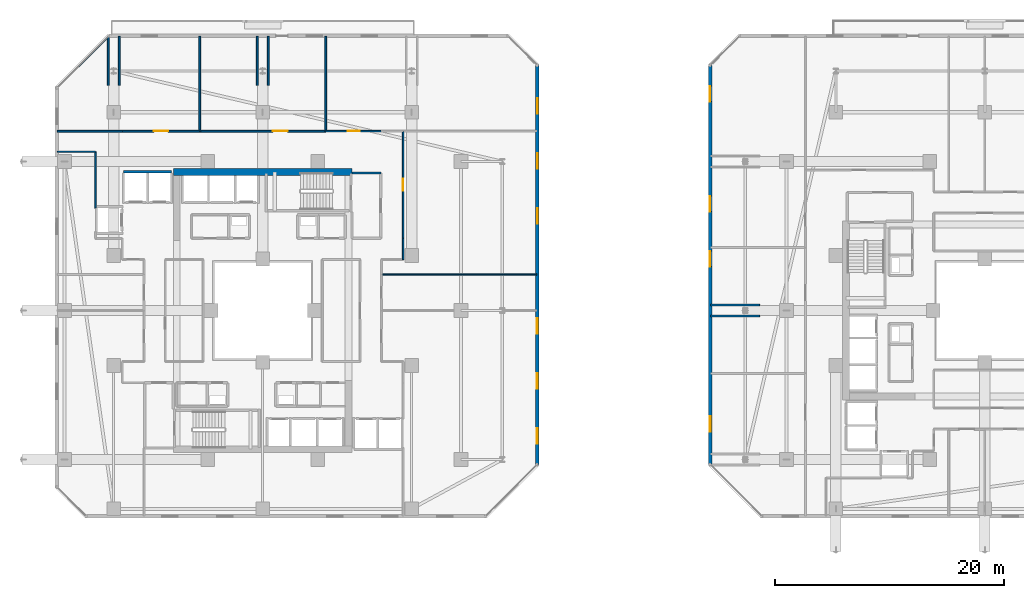
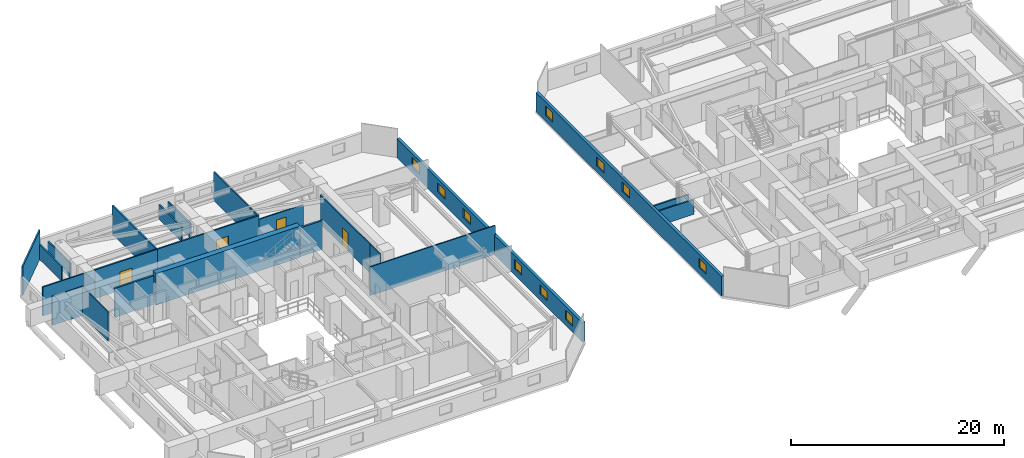
# One storey, part 24 of 36: 23 walls, 10 windows, 4 doors, 14 openings.
"""IFC4 building model written with IfcOpenShell, lengths in metres."""

from ifc_helpers import new_model, si_unit, direction, frame, frame_2d, origin, place, context, subcontext, project, spatial, rectangle, extrude, material, layer, layer_set, type_object, element, fill, save


model = new_model("IFC4")

# Units and contexts
model_context = context("Model", 3, precision=1e-05, world=origin(), true_north=direction((0.0, 1.0)))
body_context = subcontext(model_context, "Body", "Model", "MODEL_VIEW")
ifc_project = project(units=[si_unit("LENGTHUNIT", "METRE"), si_unit("AREAUNIT", "SQUARE_METRE"), si_unit("VOLUMEUNIT", "CUBIC_METRE"), si_unit("PLANEANGLEUNIT", "RADIAN"), si_unit("MASSUNIT", "GRAM", prefix="KILO")], contexts=[model_context])

# Site, building, storey
site_placement = place(None, origin())
site = spatial("IfcSite", under=ifc_project, at=site_placement, CompositionType="ELEMENT")
building_placement = place(site_placement, origin())
building = spatial("IfcBuilding", under=site, at=building_placement, Name="Thornwick Lancets Civic Towers", CompositionType="ELEMENT")
storey_placement = place(building_placement, frame((0.0, 0.0, 94.5)))
storey = spatial("IfcBuildingStorey", under=building, at=storey_placement, Name="L24", CompositionType="ELEMENT", Elevation=94.5)

# Walls
ifc_material_1 = material(Name="Concrete blockwork C40/50", Category="masonry")
ifc_layer_1 = layer(ifc_material_1, 0.199951171875, Name="Concrete blockwork C40/50")
ifc_layer_set_1 = layer_set([ifc_layer_1], Name="Concrete blockwork C40/50")
wall_type_1 = type_object("IfcWallType", Name="WALL_COMP_200", PredefinedType="STANDARD", material=ifc_layer_set_1)
wall_1_placement = place(storey_placement, frame((13.35205078125, 39.10009765625, 0.0), z_axis=(0.0, 0.0, 1.0), x_axis=(1.0, 0.0, 0.0)))
element("IfcWall", 1, at=wall_1_placement, inside=storey, type_object=wall_type_1, Name="L24 Hoistway Shaft Wall PL-AM1 N", PredefinedType="STANDARD", context=body_context, shape_type="SweptSolid", body=[
    extrude(rectangle(XDim=4.196044921875, YDim=0.199951171875, at=frame_2d((2.09814453125, 0.0))), origin(), (0.0, 0.0, 1.0), 3.300048828125),
])
wall_2_placement = place(storey_placement, frame((35.800048828125, 39.0, 0.0), z_axis=(0.0, 0.0, 1.0), x_axis=(-1.0, 0.0, 0.0)))
element("IfcWall", 2, at=wall_2_placement, inside=storey, type_object=wall_type_1, Name="L24 Partition L24-A-FFLOB2 E3", PredefinedType="STANDARD", context=body_context, shape_type="SweptSolid", body=[
    extrude(rectangle(XDim=2.5, YDim=0.199951171875, at=frame_2d((1.25, 0.0))), origin(), (0.0, 0.0, 1.0), 3.300048828125),
])
ifc_material_2 = material(Name="Concrete C60/75", Category="concrete")
ifc_layer_2 = layer(ifc_material_2, 0.60009765625, Name="Concrete C60/75")
ifc_layer_set_2 = layer_set([ifc_layer_2], Name="Concrete C60/75")
wall_type_2 = type_object("IfcWallType", Name="WALL_CORE_600", PredefinedType="SHEAR", material=ifc_layer_set_2)
wall_3_placement = place(storey_placement, frame((17.699951171875, 39.10009765625, 0.0), z_axis=(0.0, 0.0, 1.0), x_axis=(1.0, 0.0, 0.0)))
element("IfcWall", 3, at=wall_3_placement, inside=storey, type_object=wall_type_2, Name="L24 Split Core A2 Shear Wall N", PredefinedType="SHEAR", context=body_context, shape_type="SweptSolid", body=[
    extrude(rectangle(XDim=15.60009765625, YDim=0.60009765625, at=frame_2d((7.800048828125, 0.0))), origin(), (0.0, 0.0, 1.0), 3.60009765625),
])

# Wall, openings, windows
ifc_material_3 = material(Name="Insulated russet terracotta rainscreen on concrete C40/50", Category="masonry")
ifc_layer_3 = layer(ifc_material_3, 0.300048828125, Name="Insulated russet terracotta rainscreen on concrete C40/50")
ifc_layer_set_3 = layer_set([ifc_layer_3], Name="Insulated russet terracotta rainscreen on concrete C40/50")
wall_type_3 = type_object("IfcWallType", Name="WALL_EXT_RUSSET_300", PredefinedType="STANDARD", material=ifc_layer_set_3)
wall_4_placement = place(storey_placement, frame((49.458251953125, 13.574951171875, 0.0), z_axis=(0.0, 0.0, 1.0), x_axis=(0.000182370391, 0.999999983371, 0.0)))
wall_4 = element("IfcWall", 4, at=wall_4_placement, inside=storey, type_object=wall_type_3, Name="L24 Tower A Terracotta Facade Wall E2", PredefinedType="STANDARD", context=body_context, shape_type="SweptSolid", body=[
    extrude(rectangle(XDim=34.806396484375, YDim=0.300048828125, at=frame_2d((17.4033203125, 0.0))), origin(), (0.0, 0.0, 1.0), 2.219970703125),
])
opening_1_placement = place(wall_4_placement, frame((1.800048828125, 0.0, 0.719970703125)))
opening_1 = element("IfcOpeningElement", 5, at=opening_1_placement, cuts=wall_4, Name="Opening WL-03", PredefinedType="OPENING", context=body_context, shape_type="SweptSolid", body=[
    extrude(rectangle(XDim=1.35009765625, YDim=1.050048828125, at=frame_2d((0.675048828125, 0.52490234375))), frame((0.0, 0.16015625, 0.0), z_axis=(0.0, -1.0, 0.0), x_axis=(1.0, 0.0, 0.0)), (0.0, 0.0, 1.0), 0.320068359375),
])
opening_2_placement = place(wall_4_placement, frame((6.60009765625, 0.0, 0.719970703125)))
opening_2 = element("IfcOpeningElement", 6, at=opening_2_placement, cuts=wall_4, Name="Opening WL-03", PredefinedType="OPENING", context=body_context, shape_type="SweptSolid", body=[
    extrude(rectangle(XDim=1.35009765625, YDim=1.050048828125, at=frame_2d((0.675048828125, 0.52490234375))), frame((0.0, 0.16015625, 0.0), z_axis=(0.0, -1.0, 0.0), x_axis=(1.0, 0.0, 0.0)), (0.0, 0.0, 1.0), 0.320068359375),
])
opening_3_placement = place(wall_4_placement, frame((11.39990234375, 0.0, 0.719970703125)))
opening_3 = element("IfcOpeningElement", 7, at=opening_3_placement, cuts=wall_4, Name="Opening WL-03", PredefinedType="OPENING", context=body_context, shape_type="SweptSolid", body=[
    extrude(rectangle(XDim=1.35009765625, YDim=1.050048828125, at=frame_2d((0.675048828125, 0.52490234375))), frame((0.0, 0.16015625, 0.0), z_axis=(0.0, -1.0, 0.0), x_axis=(1.0, 0.0, 0.0)), (0.0, 0.0, 1.0), 0.320068359375),
])
opening_4_placement = place(wall_4_placement, frame((21.0, 0.0, 0.719970703125)))
opening_4 = element("IfcOpeningElement", 8, at=opening_4_placement, cuts=wall_4, Name="Opening WL-03", PredefinedType="OPENING", context=body_context, shape_type="SweptSolid", body=[
    extrude(rectangle(XDim=1.35009765625, YDim=1.050048828125, at=frame_2d((0.675048828125, 0.52490234375))), frame((0.0, 0.16015625, 0.0), z_axis=(0.0, -1.0, 0.0), x_axis=(1.0, 0.0, 0.0)), (0.0, 0.0, 1.0), 0.320068359375),
])
opening_5_placement = place(wall_4_placement, frame((25.800048828125, 0.0, 0.719970703125)))
opening_5 = element("IfcOpeningElement", 9, at=opening_5_placement, cuts=wall_4, Name="Opening WL-03", PredefinedType="OPENING", context=body_context, shape_type="SweptSolid", body=[
    extrude(rectangle(XDim=1.35009765625, YDim=1.050048828125, at=frame_2d((0.675048828125, 0.52490234375))), frame((0.0, 0.16015625, 0.0), z_axis=(0.0, -1.0, 0.0), x_axis=(1.0, 0.0, 0.0)), (0.0, 0.0, 1.0), 0.320068359375),
])
opening_6_placement = place(wall_4_placement, frame((30.60009765625, 0.0, 0.719970703125)))
opening_6 = element("IfcOpeningElement", 10, at=opening_6_placement, cuts=wall_4, Name="Opening WL-03", PredefinedType="OPENING", context=body_context, shape_type="SweptSolid", body=[
    extrude(rectangle(XDim=1.35009765625, YDim=1.050048828125, at=frame_2d((0.675048828125, 0.52490234375))), frame((0.0, 0.16015625, 0.0), z_axis=(0.0, -1.0, 0.0), x_axis=(1.0, 0.0, 0.0)), (0.0, 0.0, 1.0), 0.320068359375),
])
ifc_material_4 = material(Name="Clear low-e double glazing clerestory lancet", Category="glass")
window_type = type_object("IfcWindowType", Name="WIN_LANCET_1350", PartitioningType="SINGLE_PANEL", PredefinedType="WINDOW", material=ifc_material_4)
window_1_placement = place(opening_1_placement, origin())
window_1 = element("IfcWindow", 11, at=window_1_placement, inside=storey, type_object=window_type, Name="L24 Tower A Staggered Lancet Window E2-1", OverallHeight=1.050048828125, OverallWidth=1.35009765625, PartitioningType="SINGLE_PANEL", PredefinedType="WINDOW", context=body_context, shape_type="SweptSolid", body=[
    extrude(rectangle(XDim=1.35009765625, YDim=1.050048828125, at=frame_2d((0.675048828125, 0.52490234375))), frame((0.0, 0.030029296875, 0.0), z_axis=(0.0, -1.0, 0.0), x_axis=(1.0, 0.0, 0.0)), (0.0, 0.0, 1.0), 0.06005859375),
])
fill(opening_1, window_1)
window_2_placement = place(opening_2_placement, origin())
window_2 = element("IfcWindow", 12, at=window_2_placement, inside=storey, type_object=window_type, Name="L24 Tower A Staggered Lancet Window E2-2", OverallHeight=1.050048828125, OverallWidth=1.35009765625, PartitioningType="SINGLE_PANEL", PredefinedType="WINDOW", context=body_context, shape_type="SweptSolid", body=[
    extrude(rectangle(XDim=1.35009765625, YDim=1.050048828125, at=frame_2d((0.675048828125, 0.52490234375))), frame((0.0, 0.030029296875, 0.0), z_axis=(0.0, -1.0, 0.0), x_axis=(1.0, 0.0, 0.0)), (0.0, 0.0, 1.0), 0.06005859375),
])
fill(opening_2, window_2)
window_3_placement = place(opening_3_placement, origin())
window_3 = element("IfcWindow", 13, at=window_3_placement, inside=storey, type_object=window_type, Name="L24 Tower A Staggered Lancet Window E2-3", OverallHeight=1.050048828125, OverallWidth=1.35009765625, PartitioningType="SINGLE_PANEL", PredefinedType="WINDOW", context=body_context, shape_type="SweptSolid", body=[
    extrude(rectangle(XDim=1.35009765625, YDim=1.050048828125, at=frame_2d((0.675048828125, 0.52490234375))), frame((0.0, 0.030029296875, 0.0), z_axis=(0.0, -1.0, 0.0), x_axis=(1.0, 0.0, 0.0)), (0.0, 0.0, 1.0), 0.06005859375),
])
fill(opening_3, window_3)
window_4_placement = place(opening_4_placement, origin())
window_4 = element("IfcWindow", 14, at=window_4_placement, inside=storey, type_object=window_type, Name="L24 Tower A Staggered Lancet Window E2-4", OverallHeight=1.050048828125, OverallWidth=1.35009765625, PartitioningType="SINGLE_PANEL", PredefinedType="WINDOW", context=body_context, shape_type="SweptSolid", body=[
    extrude(rectangle(XDim=1.35009765625, YDim=1.050048828125, at=frame_2d((0.675048828125, 0.52490234375))), frame((0.0, 0.030029296875, 0.0), z_axis=(0.0, -1.0, 0.0), x_axis=(1.0, 0.0, 0.0)), (0.0, 0.0, 1.0), 0.06005859375),
])
fill(opening_4, window_4)
window_5_placement = place(opening_5_placement, origin())
window_5 = element("IfcWindow", 15, at=window_5_placement, inside=storey, type_object=window_type, Name="L24 Tower A Staggered Lancet Window E2-5", OverallHeight=1.050048828125, OverallWidth=1.35009765625, PartitioningType="SINGLE_PANEL", PredefinedType="WINDOW", context=body_context, shape_type="SweptSolid", body=[
    extrude(rectangle(XDim=1.35009765625, YDim=1.050048828125, at=frame_2d((0.675048828125, 0.52490234375))), frame((0.0, 0.030029296875, 0.0), z_axis=(0.0, -1.0, 0.0), x_axis=(1.0, 0.0, 0.0)), (0.0, 0.0, 1.0), 0.06005859375),
])
fill(opening_5, window_5)
window_6_placement = place(opening_6_placement, origin())
window_6 = element("IfcWindow", 16, at=window_6_placement, inside=storey, type_object=window_type, Name="L24 Tower A Staggered Lancet Window E2-6", OverallHeight=1.050048828125, OverallWidth=1.35009765625, PartitioningType="SINGLE_PANEL", PredefinedType="WINDOW", context=body_context, shape_type="SweptSolid", body=[
    extrude(rectangle(XDim=1.35009765625, YDim=1.050048828125, at=frame_2d((0.675048828125, 0.52490234375))), frame((0.0, 0.030029296875, 0.0), z_axis=(0.0, -1.0, 0.0), x_axis=(1.0, 0.0, 0.0)), (0.0, 0.0, 1.0), 0.06005859375),
])
fill(opening_6, window_6)

wall_5_placement = place(storey_placement, frame((64.535400390625, 48.38134765625, 0.0), z_axis=(0.0, 0.0, 1.0), x_axis=(0.000182370391, -0.999999983371, 0.0)))
wall_5 = element("IfcWall", 17, at=wall_5_placement, inside=storey, type_object=wall_type_3, Name="L24 Tower B Terracotta Facade Wall E6", PredefinedType="STANDARD", context=body_context, shape_type="SweptSolid", body=[
    extrude(rectangle(XDim=34.806396484375, YDim=0.300048828125, at=frame_2d((17.4033203125, 0.0))), origin(), (0.0, 0.0, 1.0), 2.219970703125),
])
opening_7_placement = place(wall_5_placement, frame((1.800048828125, 0.0, 0.719970703125)))
opening_7 = element("IfcOpeningElement", 18, at=opening_7_placement, cuts=wall_5, Name="Opening WL-03", PredefinedType="OPENING", context=body_context, shape_type="SweptSolid", body=[
    extrude(rectangle(XDim=1.35009765625, YDim=1.050048828125, at=frame_2d((0.675048828125, 0.52490234375))), frame((0.0, 0.16015625, 0.0), z_axis=(0.0, -1.0, 0.0), x_axis=(1.0, 0.0, 0.0)), (0.0, 0.0, 1.0), 0.320068359375),
])
opening_8_placement = place(wall_5_placement, frame((11.39990234375, 0.0, 0.719970703125)))
opening_8 = element("IfcOpeningElement", 19, at=opening_8_placement, cuts=wall_5, Name="Opening WL-03", PredefinedType="OPENING", context=body_context, shape_type="SweptSolid", body=[
    extrude(rectangle(XDim=1.35009765625, YDim=1.050048828125, at=frame_2d((0.675048828125, 0.52490234375))), frame((0.0, 0.16015625, 0.0), z_axis=(0.0, -1.0, 0.0), x_axis=(1.0, 0.0, 0.0)), (0.0, 0.0, 1.0), 0.320068359375),
])
opening_9_placement = place(wall_5_placement, frame((16.199951171875, 0.0, 0.719970703125)))
opening_9 = element("IfcOpeningElement", 20, at=opening_9_placement, cuts=wall_5, Name="Opening WL-03", PredefinedType="OPENING", context=body_context, shape_type="SweptSolid", body=[
    extrude(rectangle(XDim=1.35009765625, YDim=1.050048828125, at=frame_2d((0.675048828125, 0.52490234375))), frame((0.0, 0.16015625, 0.0), z_axis=(0.0, -1.0, 0.0), x_axis=(1.0, 0.0, 0.0)), (0.0, 0.0, 1.0), 0.320068359375),
])
opening_10_placement = place(wall_5_placement, frame((30.60009765625, 0.0, 0.719970703125)))
opening_10 = element("IfcOpeningElement", 21, at=opening_10_placement, cuts=wall_5, Name="Opening WL-03", PredefinedType="OPENING", context=body_context, shape_type="SweptSolid", body=[
    extrude(rectangle(XDim=1.35009765625, YDim=1.050048828125, at=frame_2d((0.675048828125, 0.52490234375))), frame((0.0, 0.16015625, 0.0), z_axis=(0.0, -1.0, 0.0), x_axis=(1.0, 0.0, 0.0)), (0.0, 0.0, 1.0), 0.320068359375),
])
window_7_placement = place(opening_7_placement, origin())
window_7 = element("IfcWindow", 22, at=window_7_placement, inside=storey, type_object=window_type, Name="L24 Tower B Staggered Lancet Window E6-1", OverallHeight=1.050048828125, OverallWidth=1.35009765625, PartitioningType="SINGLE_PANEL", PredefinedType="WINDOW", context=body_context, shape_type="SweptSolid", body=[
    extrude(rectangle(XDim=1.35009765625, YDim=1.050048828125, at=frame_2d((0.675048828125, 0.52490234375))), frame((0.0, 0.030029296875, 0.0), z_axis=(0.0, -1.0, 0.0), x_axis=(1.0, 0.0, 0.0)), (0.0, 0.0, 1.0), 0.06005859375),
])
fill(opening_7, window_7)
window_8_placement = place(opening_8_placement, origin())
window_8 = element("IfcWindow", 23, at=window_8_placement, inside=storey, type_object=window_type, Name="L24 Tower B Staggered Lancet Window E6-2", OverallHeight=1.050048828125, OverallWidth=1.35009765625, PartitioningType="SINGLE_PANEL", PredefinedType="WINDOW", context=body_context, shape_type="SweptSolid", body=[
    extrude(rectangle(XDim=1.35009765625, YDim=1.050048828125, at=frame_2d((0.675048828125, 0.52490234375))), frame((0.0, 0.030029296875, 0.0), z_axis=(0.0, -1.0, 0.0), x_axis=(1.0, 0.0, 0.0)), (0.0, 0.0, 1.0), 0.06005859375),
])
fill(opening_8, window_8)
window_9_placement = place(opening_9_placement, origin())
window_9 = element("IfcWindow", 24, at=window_9_placement, inside=storey, type_object=window_type, Name="L24 Tower B Staggered Lancet Window E6-3", OverallHeight=1.050048828125, OverallWidth=1.35009765625, PartitioningType="SINGLE_PANEL", PredefinedType="WINDOW", context=body_context, shape_type="SweptSolid", body=[
    extrude(rectangle(XDim=1.35009765625, YDim=1.050048828125, at=frame_2d((0.675048828125, 0.52490234375))), frame((0.0, 0.030029296875, 0.0), z_axis=(0.0, -1.0, 0.0), x_axis=(1.0, 0.0, 0.0)), (0.0, 0.0, 1.0), 0.06005859375),
])
fill(opening_9, window_9)
window_10_placement = place(opening_10_placement, origin())
window_10 = element("IfcWindow", 25, at=window_10_placement, inside=storey, type_object=window_type, Name="L24 Tower B Staggered Lancet Window E6-4", OverallHeight=1.050048828125, OverallWidth=1.35009765625, PartitioningType="SINGLE_PANEL", PredefinedType="WINDOW", context=body_context, shape_type="SweptSolid", body=[
    extrude(rectangle(XDim=1.35009765625, YDim=1.050048828125, at=frame_2d((0.675048828125, 0.52490234375))), frame((0.0, 0.030029296875, 0.0), z_axis=(0.0, -1.0, 0.0), x_axis=(1.0, 0.0, 0.0)), (0.0, 0.0, 1.0), 0.06005859375),
])
fill(opening_10, window_10)

# Walls
ifc_material_5 = material(Name="Acoustic gypsum board partition")
ifc_layer_4 = layer(ifc_material_5, 0.1201171875, Name="Acoustic gypsum board partition")
ifc_layer_set_4 = layer_set([ifc_layer_4], Name="Acoustic gypsum board partition")
wall_type_4 = type_object("IfcWallType", Name="WALL_PART_120", PredefinedType="PARTITIONING", material=ifc_layer_set_4)
wall_6_placement = place(storey_placement, frame((7.580078125, 40.85009765625, 0.0), z_axis=(0.0, 0.0, 1.0), x_axis=(1.0, 0.0, 0.0)))
element("IfcWall", 26, at=wall_6_placement, inside=storey, type_object=wall_type_4, Name="L24 Partition L24-A-W3 E8", PredefinedType="PARTITIONING", context=body_context, shape_type="SweptSolid", body=[
    extrude(rectangle(XDim=3.31982421875, YDim=0.1201171875, at=frame_2d((1.659912109375, 0.0))), origin(), (0.0, 0.0, 1.0), 3.300048828125),
])
wall_7_placement = place(storey_placement, frame((10.89990234375, 40.85009765625, 0.0), z_axis=(0.0, 0.0, 1.0), x_axis=(0.0, -1.0, 0.0)))
element("IfcWall", 27, at=wall_7_placement, inside=storey, type_object=wall_type_4, Name="L24 Partition L24-A-W3 E9", PredefinedType="PARTITIONING", context=body_context, shape_type="SweptSolid", body=[
    extrude(rectangle(XDim=4.912109375, YDim=0.1201171875, at=frame_2d((2.4560546875, 0.0))), origin(), (0.0, 0.0, 1.0), 3.300048828125),
])
wall_8_placement = place(storey_placement, frame((35.85009765625, 30.14990234375, 0.0), z_axis=(0.0, 0.0, 1.0), x_axis=(1.0, 0.0, 0.0)))
element("IfcWall", 28, at=wall_8_placement, inside=storey, type_object=wall_type_4, Name="L24 Partition L24-A-E2 E2", PredefinedType="PARTITIONING", context=body_context, shape_type="SweptSolid", body=[
    extrude(rectangle(XDim=13.56982421875, YDim=0.1201171875, at=frame_2d((6.784912109375, 0.0))), origin(), (0.0, 0.0, 1.0), 3.300048828125),
])
wall_9_placement = place(storey_placement, frame((37.75, 31.449951171875, 0.0), z_axis=(0.0, 0.0, 1.0), x_axis=(0.0, 1.0, 0.0)))
element("IfcWall", 29, at=wall_9_placement, inside=storey, type_object=wall_type_4, Name="L24 Partition L24-A-E3 E2", PredefinedType="PARTITIONING", context=body_context, shape_type="SweptSolid", body=[
    extrude(rectangle(XDim=1.85009765625, YDim=0.1201171875, at=frame_2d((0.925048828125, 0.0))), origin(), (0.0, 0.0, 1.0), 3.300048828125),
])

# Wall, opening, door
wall_10_placement = place(storey_placement, frame((37.75, 33.300048828125, 0.0), z_axis=(0.0, 0.0, 1.0), x_axis=(0.0, 1.0, 0.0)))
wall_10 = element("IfcWall", 30, at=wall_10_placement, inside=storey, type_object=wall_type_4, Name="L24 Partition L24-A-E3 E3", PredefinedType="PARTITIONING", context=body_context, shape_type="SweptSolid", body=[
    extrude(rectangle(XDim=9.349853515625, YDim=0.1201171875, at=frame_2d((4.6748046875, 0.0))), origin(), (0.0, 0.0, 1.0), 3.300048828125),
])
opening_11_placement = place(wall_10_placement, frame((4.14990234375, 0.0, 0.0)))
opening_11 = element("IfcOpeningElement", 31, at=opening_11_placement, cuts=wall_10, Name="Opening D-L24-1134", PredefinedType="OPENING", context=body_context, shape_type="SweptSolid", body=[
    extrude(rectangle(XDim=1.050048828125, YDim=2.10009765625, at=frame_2d((0.52490234375, 1.050048828125))), frame((0.0, 0.070068359375, 0.0), z_axis=(0.0, -1.0, 0.0), x_axis=(1.0, 0.0, 0.0)), (0.0, 0.0, 1.0), 0.14013671875),
])
ifc_material_6 = material(Name="Glazed European oak executive doorset")
door_type_1 = type_object("IfcDoorType", Name="DOOR_OFFICE_1050", OperationType="NOTDEFINED", PredefinedType="DOOR", material=ifc_material_6)
door_1_placement = place(opening_11_placement, origin())
door_1 = element("IfcDoor", 32, at=door_1_placement, inside=storey, type_object=door_type_1, Name="L24 Tower A Civic Seminar Room Door", OperationType="SINGLE_SWING_LEFT", OverallHeight=2.10009765625, OverallWidth=1.050048828125, PredefinedType="DOOR", context=body_context, shape_type="SweptSolid", body=[
    extrude(rectangle(XDim=1.050048828125, YDim=2.10009765625, at=frame_2d((0.52490234375, 1.050048828125))), frame((0.0, 0.02490234375, 0.0), z_axis=(0.0, -1.0, 0.0), x_axis=(1.0, 0.0, 0.0)), (0.0, 0.0, 1.0), 0.050048828125),
])
fill(opening_11, door_1)

wall_11_placement = place(storey_placement, frame((35.85009765625, 42.64990234375, 0.0), z_axis=(0.0, 0.0, 1.0), x_axis=(-1.0, 0.0, 0.0)))
wall_11 = element("IfcWall", 33, at=wall_11_placement, inside=storey, type_object=wall_type_4, Name="L24 Partition L24-A-N-OFF E2", PredefinedType="PARTITIONING", context=body_context, shape_type="SweptSolid", body=[
    extrude(rectangle(XDim=4.85009765625, YDim=0.1201171875, at=frame_2d((2.425048828125, 0.0))), origin(), (0.0, 0.0, 1.0), 2.85498046875),
])
opening_12_placement = place(wall_11_placement, frame((1.89990234375, 0.0, 0.0)))
opening_12 = element("IfcOpeningElement", 34, at=opening_12_placement, cuts=wall_11, Name="Opening D-L24-1139", PredefinedType="OPENING", context=body_context, shape_type="SweptSolid", body=[
    extrude(rectangle(XDim=1.050048828125, YDim=2.10009765625, at=frame_2d((0.52490234375, 1.050048828125))), frame((0.0, 0.070068359375, 0.0), z_axis=(0.0, -1.0, 0.0), x_axis=(1.0, 0.0, 0.0)), (0.0, 0.0, 1.0), 0.14013671875),
])
door_2_placement = place(opening_12_placement, origin())
door_2 = element("IfcDoor", 35, at=door_2_placement, inside=storey, type_object=door_type_1, Name="L24 Tower A North-East Policy Office Door", OperationType="SINGLE_SWING_RIGHT", OverallHeight=2.10009765625, OverallWidth=1.050048828125, PredefinedType="DOOR", context=body_context, shape_type="SweptSolid", body=[
    extrude(rectangle(XDim=1.050048828125, YDim=2.10009765625, at=frame_2d((0.52490234375, 1.050048828125))), frame((0.0, 0.02490234375, 0.0), z_axis=(0.0, -1.0, 0.0), x_axis=(1.0, 0.0, 0.0)), (0.0, 0.0, 1.0), 0.050048828125),
])
fill(opening_12, door_2)

# Walls
ifc_material_7 = material(Name="Twin-stud acoustic gypsum board")
ifc_layer_5 = layer(ifc_material_7, 0.14990234375, Name="Twin-stud acoustic gypsum board")
ifc_layer_set_5 = layer_set([ifc_layer_5], Name="Twin-stud acoustic gypsum board")
wall_type_5 = type_object("IfcWallType", Name="WALL_PART_150", PredefinedType="PARTITIONING", material=ifc_layer_set_5)
wall_12_placement = place(storey_placement, frame((13.25, 42.64990234375, 0.0), z_axis=(0.0, 0.0, 1.0), x_axis=(-1.0, 0.0, 0.0)))
element("IfcWall", 36, at=wall_12_placement, inside=storey, type_object=wall_type_5, Name="L24 Partition L24-A-N-CONF E1", PredefinedType="PARTITIONING", context=body_context, shape_type="SweptSolid", body=[
    extrude(rectangle(XDim=5.669921875, YDim=0.14990234375, at=frame_2d((2.8349609375, 0.0))), origin(), (0.0, 0.0, 1.0), 3.300048828125),
])
wall_13_placement = place(storey_placement, frame((7.580078125, 46.46142578125, 0.0), z_axis=(0.0, 0.0, 1.0), x_axis=(0.707106781187, 0.707106781187, 0.0)))
element("IfcWall", 37, at=wall_13_placement, inside=storey, type_object=wall_type_5, Name="L24 Partition L24-A-N-CONF E3", PredefinedType="PARTITIONING", context=body_context, shape_type="SweptSolid", body=[
    extrude(rectangle(XDim=6.279052734375, YDim=0.14990234375, at=frame_2d((3.1396484375, 0.0))), origin(), (0.0, 0.0, 1.0), 3.300048828125),
])
wall_14_placement = place(storey_placement, frame((12.02001953125, 50.9013671875, 0.0), z_axis=(0.0, 0.0, 1.0), x_axis=(0.0, -1.0, 0.0)))
element("IfcWall", 38, at=wall_14_placement, inside=storey, type_object=wall_type_5, Name="L24 Partition L24-A-N-CONF E4", PredefinedType="PARTITIONING", context=body_context, shape_type="SweptSolid", body=[
    extrude(rectangle(XDim=4.25048828125, YDim=0.14990234375, at=frame_2d((2.125244140625, 0.0))), origin(), (0.0, 0.0, 1.0), 1.68505859375),
])
wall_15_placement = place(storey_placement, frame((12.97998046875, 46.65087890625, 0.0), z_axis=(0.0, 0.0, 1.0), x_axis=(0.0, 1.0, 0.0)))
element("IfcWall", 39, at=wall_15_placement, inside=storey, type_object=wall_type_5, Name="L24 Partition L24-A-N-CONF E6", PredefinedType="PARTITIONING", context=body_context, shape_type="SweptSolid", body=[
    extrude(rectangle(XDim=4.26904296875, YDim=0.14990234375, at=frame_2d((2.134521484375, 0.0))), origin(), (0.0, 0.0, 1.0), 1.68505859375),
])
wall_16_placement = place(storey_placement, frame((20.0, 50.919921875, 0.0), z_axis=(0.0, 0.0, 1.0), x_axis=(0.0, -1.0, 0.0)))
element("IfcWall", 40, at=wall_16_placement, inside=storey, type_object=wall_type_5, Name="L24 Partition L24-A-N-CONF E8", PredefinedType="PARTITIONING", context=body_context, shape_type="SweptSolid", body=[
    extrude(rectangle(XDim=8.27001953125, YDim=0.14990234375, at=frame_2d((4.135009765625, 0.0))), origin(), (0.0, 0.0, 1.0), 3.300048828125),
])

# Wall, opening, door
wall_17_placement = place(storey_placement, frame((20.0, 42.64990234375, 0.0), z_axis=(0.0, 0.0, 1.0), x_axis=(-1.0, 0.0, 0.0)))
wall_17 = element("IfcWall", 41, at=wall_17_placement, inside=storey, type_object=wall_type_5, Name="L24 Partition L24-A-N-CONF E9", PredefinedType="PARTITIONING", context=body_context, shape_type="SweptSolid", body=[
    extrude(rectangle(XDim=6.75, YDim=0.14990234375, at=frame_2d((3.375, 0.0))), origin(), (0.0, 0.0, 1.0), 3.300048828125),
])
opening_13_placement = place(wall_17_placement, frame((2.72509765625, 0.0, 0.0)))
opening_13 = element("IfcOpeningElement", 42, at=opening_13_placement, cuts=wall_17, Name="Opening D-L24-1137", PredefinedType="OPENING", context=body_context, shape_type="SweptSolid", body=[
    extrude(rectangle(XDim=1.300048828125, YDim=2.1201171875, at=frame_2d((0.64990234375, 1.06005859375))), frame((0.0, 0.0849609375, 0.0), z_axis=(0.0, -1.0, 0.0), x_axis=(1.0, 0.0, 0.0)), (0.0, 0.0, 1.0), 0.169921875),
])
ifc_material_8 = material(Name="Acoustic oak leaf-and-a-half doorset")
door_type_2 = type_object("IfcDoorType", Name="DOOR_MEET_1300", OperationType="DOUBLE_DOOR_SINGLE_SWING", PredefinedType="DOOR", material=ifc_material_8)
door_3_placement = place(opening_13_placement, origin())
door_3 = element("IfcDoor", 43, at=door_3_placement, inside=storey, type_object=door_type_2, Name="L24 Tower A North-West Conference Room Door", OperationType="DOUBLE_DOOR_SINGLE_SWING", OverallHeight=2.1201171875, OverallWidth=1.300048828125, PredefinedType="DOOR", context=body_context, shape_type="SweptSolid", body=[
    extrude(rectangle(XDim=1.300048828125, YDim=2.1201171875, at=frame_2d((0.64990234375, 1.06005859375))), frame((0.0, 0.02490234375, 0.0), z_axis=(0.0, -1.0, 0.0), x_axis=(1.0, 0.0, 0.0)), (0.0, 0.0, 1.0), 0.050048828125),
])
fill(opening_13, door_3)

# Walls
for number, where, z_axis, x_axis, name in (
    (44, (25.02001953125, 50.919921875, 0.0), (0.0, 0.0, 1.0), (0.0, -1.0, 0.0), "L24 Partition L24-A-N-MEET E3"),
    (45, (25.97998046875, 46.65087890625, 0.0), (0.0, 0.0, 1.0), (0.0, 1.0, 0.0), "L24 Partition L24-A-N-MEET E5"),
):
    element("IfcWall", number, at=place(storey_placement, frame(where, z_axis=z_axis, x_axis=x_axis)), inside=storey, type_object=wall_type_5, Name=name, PredefinedType="PARTITIONING", context=body_context, shape_type="SweptSolid", body=[
        extrude(rectangle(XDim=4.26904296875, YDim=0.14990234375, at=frame_2d((2.134521484375, 0.0))), origin(), (0.0, 0.0, 1.0), 1.68505859375),
    ])
wall_18_placement = place(storey_placement, frame((31.0, 50.919921875, 0.0), z_axis=(0.0, 0.0, 1.0), x_axis=(0.0, -1.0, 0.0)))
element("IfcWall", 46, at=wall_18_placement, inside=storey, type_object=wall_type_5, Name="L24 Partition L24-A-N-MEET E7", PredefinedType="PARTITIONING", context=body_context, shape_type="SweptSolid", body=[
    extrude(rectangle(XDim=8.27001953125, YDim=0.14990234375, at=frame_2d((4.135009765625, 0.0))), origin(), (0.0, 0.0, 1.0), 3.300048828125),
])

# Wall, opening, door
wall_19_placement = place(storey_placement, frame((31.0, 42.64990234375, 0.0), z_axis=(0.0, 0.0, 1.0), x_axis=(-1.0, 0.0, 0.0)))
wall_19 = element("IfcWall", 47, at=wall_19_placement, inside=storey, type_object=wall_type_5, Name="L24 Partition L24-A-N-MEET E8", PredefinedType="PARTITIONING", context=body_context, shape_type="SweptSolid", body=[
    extrude(rectangle(XDim=11.0, YDim=0.14990234375, at=frame_2d((5.5, 0.0))), origin(), (0.0, 0.0, 1.0), 3.300048828125),
])
opening_14_placement = place(wall_19_placement, frame((3.31005859375, 0.0, 0.0)))
opening_14 = element("IfcOpeningElement", 48, at=opening_14_placement, cuts=wall_19, Name="Opening D-L24-1138", PredefinedType="OPENING", context=body_context, shape_type="SweptSolid", body=[
    extrude(rectangle(XDim=1.300048828125, YDim=2.1201171875, at=frame_2d((0.64990234375, 1.06005859375))), frame((0.0, 0.0849609375, 0.0), z_axis=(0.0, -1.0, 0.0), x_axis=(1.0, 0.0, 0.0)), (0.0, 0.0, 1.0), 0.169921875),
])
door_4_placement = place(opening_14_placement, origin())
door_4 = element("IfcDoor", 49, at=door_4_placement, inside=storey, type_object=door_type_2, Name="L24 Tower A North Briefing Chamber Door", OperationType="DOUBLE_DOOR_SINGLE_SWING", OverallHeight=2.1201171875, OverallWidth=1.300048828125, PredefinedType="DOOR", context=body_context, shape_type="SweptSolid", body=[
    extrude(rectangle(XDim=1.300048828125, YDim=2.1201171875, at=frame_2d((0.64990234375, 1.06005859375))), frame((0.0, 0.02490234375, 0.0), z_axis=(0.0, -1.0, 0.0), x_axis=(1.0, 0.0, 0.0)), (0.0, 0.0, 1.0), 0.050048828125),
])
fill(opening_14, door_4)

# Walls
for number, where, z_axis, x_axis, name in (
    (50, (64.580078125, 26.52001953125, 0.0), (0.0, 0.0, 1.0), (1.0, 0.0, 0.0), "L24 Partition L24-B-N-MEET E3"),
    (51, (68.84912109375, 27.47998046875, 0.0), (0.0, 0.0, 1.0), (-1.0, 0.0, 0.0), "L24 Partition L24-B-N-MEET E5"),
):
    element("IfcWall", number, at=place(storey_placement, frame(where, z_axis=z_axis, x_axis=x_axis)), inside=storey, type_object=wall_type_5, Name=name, PredefinedType="PARTITIONING", context=body_context, shape_type="SweptSolid", body=[
        extrude(rectangle(XDim=4.26904296875, YDim=0.14990234375, at=frame_2d((2.134521484375, 0.0))), origin(), (0.0, 0.0, 1.0), 1.68505859375),
    ])

save(model, "model.ifc")
